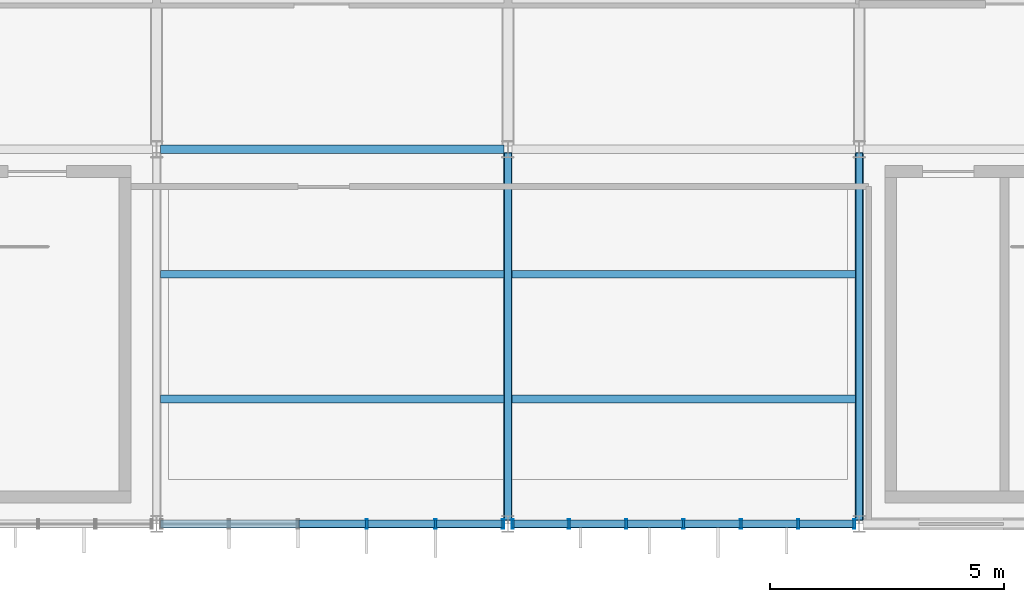
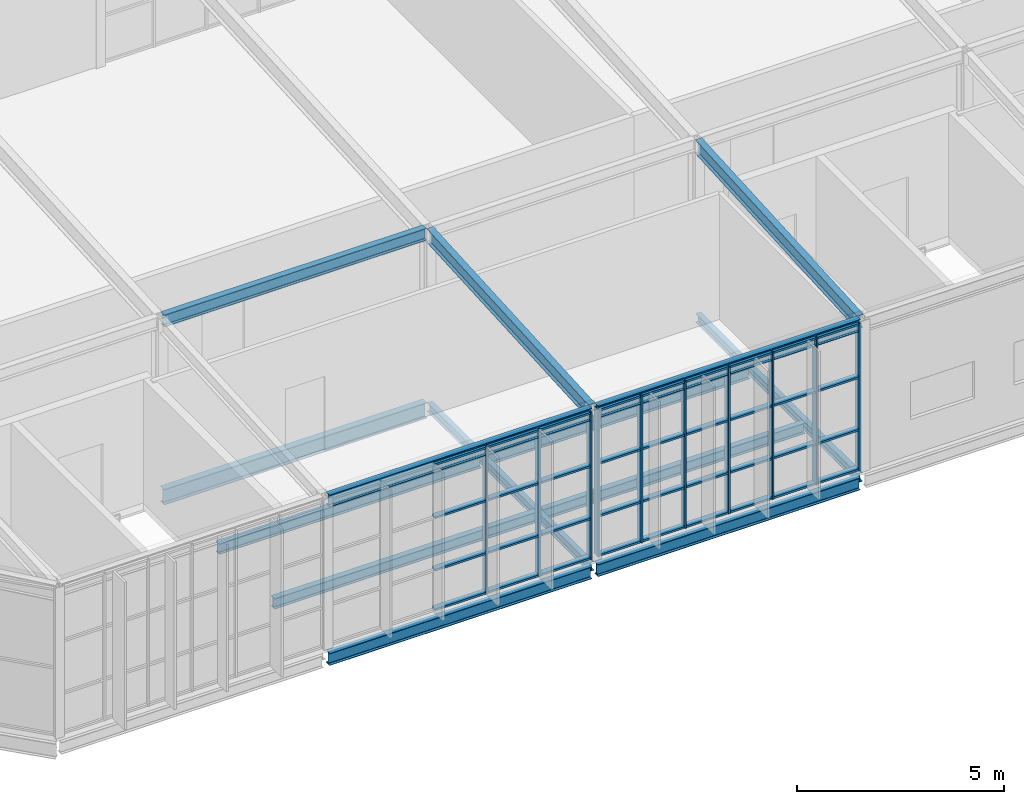
# One storey, part 14 of 104: 46 members, 14 beams, 2 elements without a shape of their own.
"""IFC4 building model written with IfcOpenShell, lengths in metres."""

from ifc_helpers import new_model, si_unit, direction, frame, origin, origin_2d, place, context, subcontext, project, spatial, hollow_rectangle, i_section, extrude, material, layer, layer_set, material_profile, profile_set, type_object, element, aggregate, save


model = new_model("IFC4")

# Units and contexts
model_context = context("Model", 3, precision=1e-05, world=origin(), true_north=direction((0.0, 1.0)))
body_context = subcontext(model_context, "Body", "Model", "MODEL_VIEW")
ifc_project = project(units=[si_unit("LENGTHUNIT", "METRE"), si_unit("AREAUNIT", "SQUARE_METRE"), si_unit("VOLUMEUNIT", "CUBIC_METRE"), si_unit("PLANEANGLEUNIT", "RADIAN"), si_unit("MASSUNIT", "GRAM", prefix="KILO")], contexts=[model_context])

# Site, building, storey
site_placement = place(None, origin())
site = spatial("IfcSite", under=ifc_project, at=site_placement, CompositionType="ELEMENT")
building_placement = place(site_placement, origin())
building = spatial("IfcBuilding", under=site, at=building_placement, Name="Solvenia Promenade Tram Depot", CompositionType="ELEMENT")
storey_placement = place(building_placement, frame((0.0, 0.0, 9.0)))
storey = spatial("IfcBuildingStorey", under=building, at=storey_placement, Name="L02", CompositionType="ELEMENT", Elevation=9.0)

# Beams
ifc_material_1 = material(Name="Structural steel ASTM A992 Gr. 50", Category="steel")
ifc_material_profile_1 = material_profile(ifc_material_1, i_section(OverallWidth=0.178955078125, OverallDepth=0.409912109375, WebThickness=0.0087890625, FlangeThickness=0.014404296875, FilletRadius=0.011962890625, at=origin_2d()), Name="W410x67", Category="steel")
ifc_profile_set_1 = profile_set([ifc_material_profile_1], Name="Structural steel ASTM A992 Gr. 50")
beam_type_1 = type_object("IfcBeamType", Name="Beam-W410x67", PredefinedType="BEAM", material=ifc_profile_set_1)
for number, where, z_axis, x_axis, name in (
    (1, (22.5, 0.0849609375, 4.2548828125), (0.0, 0.998227697106, 0.059510206937), (-1.0, 0.0, 0.0), "Folded Wing Roof Rafter BM-L02-0848"),
    (2, (30.0, 0.0849609375, 4.2548828125), (0.0, 0.998227697106, 0.059510206937), (-1.0, 0.0, 0.0), "Folded Wing Roof Rafter BM-L02-0850"),
):
    element("IfcBeam", number, at=place(storey_placement, frame(where, z_axis=z_axis, x_axis=x_axis)), inside=storey, type_object=beam_type_1, Name=name, PredefinedType="BEAM", context=body_context, shape_type="SweptSolid", body=[
        extrude(i_section(OverallWidth=0.178955078125, OverallDepth=0.409912109375, WebThickness=0.0087890625, FlangeThickness=0.014404296875, FilletRadius=0.011962890625, at=origin_2d()), origin(), (0.0, 0.0, 1.0), 7.843994140625),
    ])
ifc_material_profile_2 = material_profile(ifc_material_1, i_section(OverallWidth=0.19091796875, OverallDepth=0.4599609375, WebThickness=0.010009765625, FlangeThickness=0.01611328125, FilletRadius=0.012939453125, at=origin_2d()), Name="W460x82", Category="steel")
ifc_profile_set_2 = profile_set([ifc_material_profile_2], Name="Structural steel ASTM A992 Gr. 50")
beam_type_2 = type_object("IfcBeamType", Name="Beam-W460x82", PredefinedType="BEAM", material=ifc_profile_set_2)
beam_placement = place(storey_placement, frame((15.0849609375, 8.0, -0.449951171875), z_axis=(1.0, 0.0, 0.0), x_axis=(0.0, 1.0, 0.0)))
element("IfcBeam", 3, at=beam_placement, inside=storey, type_object=beam_type_2, Name="Primary Girder BM-L02-0531", PredefinedType="BEAM", context=body_context, shape_type="SweptSolid", body=[
    extrude(i_section(OverallWidth=0.19091796875, OverallDepth=0.4599609375, WebThickness=0.010009765625, FlangeThickness=0.01611328125, FilletRadius=0.012939453125, at=origin_2d()), origin(), (0.0, 0.0, 1.0), 7.330078125),
])

# Curtain wall, members
ifc_material_2 = material(Name="Anodized aluminium AW-6063 T6", Category="aluminium")
ifc_layer_1 = layer(ifc_material_2, 0.179931640625, Name="Anodized aluminium AW-6063 T6", Category="aluminium")
ifc_layer_set_1 = layer_set([ifc_layer_1], Name="Anodized aluminium AW-6063 T6")
curtain_wall_type_1 = type_object("IfcCurtainWallType", Name="CW-Solar-1500", PredefinedType="NOTDEFINED", material=ifc_layer_set_1)
curtain_wall_1_placement = place(storey_placement, origin())
curtain_wall_1 = element("IfcCurtainWall", 4, at=curtain_wall_1_placement, inside=storey, type_object=curtain_wall_type_1, Name="Curtain Wall CW-V4S-L02-02", PredefinedType="NOTDEFINED")
ifc_material_profile_3 = material_profile(ifc_material_2, hollow_rectangle(XDim=0.199951171875, YDim=0.048095703125, WallThickness=0.00390625, at=origin_2d()), Name="ALU-M3", Category="aluminium")
ifc_profile_set_3 = profile_set([ifc_material_profile_3], Name="Anodized aluminium AW-6063 T6")
member_type_1 = type_object("IfcMemberType", Name="CWM-Mullion-3", PredefinedType="MULLION", material=ifc_profile_set_3)
member_1_placement = place(storey_placement, frame((19.48388671875, 0.0, 0.0), z_axis=(0.0, 0.0, 1.0), x_axis=(0.0, 1.0, 0.0)))
member_1 = element("IfcMember", 5, at=member_1_placement, type_object=member_type_1, Name="CW-7 mullion 4", PredefinedType="MULLION", context=body_context, shape_type="SweptSolid", body=[
    extrude(hollow_rectangle(XDim=0.199951171875, YDim=0.048095703125, WallThickness=0.00390625, at=origin_2d()), origin(), (0.0, 0.0, 1.0), 4.35009765625),
])
member_2_placement = place(storey_placement, frame((20.951904296875, 0.0, 0.0), z_axis=(0.0, 0.0, 1.0), x_axis=(0.0, 1.0, 0.0)))
member_2 = element("IfcMember", 6, at=member_2_placement, type_object=member_type_1, Name="CW-7 mullion 5", PredefinedType="MULLION", context=body_context, shape_type="SweptSolid", body=[
    extrude(hollow_rectangle(XDim=0.199951171875, YDim=0.048095703125, WallThickness=0.00390625, at=origin_2d()), origin(), (0.0, 0.0, 1.0), 4.35009765625),
])
member_3_placement = place(storey_placement, frame((22.39599609375, 0.0, 0.0), z_axis=(0.0, 0.0, 1.0), x_axis=(0.0, 1.0, 0.0)))
member_3 = element("IfcMember", 7, at=member_3_placement, type_object=member_type_1, Name="CW-7 mullion 6", PredefinedType="MULLION", context=body_context, shape_type="SweptSolid", body=[
    extrude(hollow_rectangle(XDim=0.199951171875, YDim=0.048095703125, WallThickness=0.00390625, at=origin_2d()), origin(), (0.0, 0.0, 1.0), 4.35009765625),
])

ifc_layer_2 = layer(ifc_material_2, 0.179931640625, Name="Anodized aluminium AW-6063 T6", Category="aluminium")
ifc_layer_set_2 = layer_set([ifc_layer_2], Name="Anodized aluminium AW-6063 T6")
curtain_wall_type_2 = type_object("IfcCurtainWallType", Name="CW-Solar-1250", PredefinedType="NOTDEFINED", material=ifc_layer_set_2)
curtain_wall_2_placement = place(storey_placement, origin())
curtain_wall_2 = element("IfcCurtainWall", 8, at=curtain_wall_2_placement, inside=storey, type_object=curtain_wall_type_2, Name="Curtain Wall CW-V4S-L02-03", PredefinedType="NOTDEFINED")
member_4_placement = place(storey_placement, frame((22.60400390625, 0.0, 0.0), z_axis=(0.0, 0.0, 1.0), x_axis=(0.0, 1.0, 0.0)))
member_4 = element("IfcMember", 9, at=member_4_placement, type_object=member_type_1, Name="CW-6 mullion 1", PredefinedType="MULLION", context=body_context, shape_type="SweptSolid", body=[
    extrude(hollow_rectangle(XDim=0.199951171875, YDim=0.048095703125, WallThickness=0.00390625, at=origin_2d()), origin(), (0.0, 0.0, 1.0), 4.35009765625),
])
member_5_placement = place(storey_placement, frame((23.80322265625, 0.0, 0.0), z_axis=(0.0, 0.0, 1.0), x_axis=(0.0, 1.0, 0.0)))
member_5 = element("IfcMember", 10, at=member_5_placement, type_object=member_type_1, Name="CW-6 mullion 2", PredefinedType="MULLION", context=body_context, shape_type="SweptSolid", body=[
    extrude(hollow_rectangle(XDim=0.199951171875, YDim=0.048095703125, WallThickness=0.00390625, at=origin_2d()), origin(), (0.0, 0.0, 1.0), 4.35009765625),
])
member_6_placement = place(storey_placement, frame((25.026611328125, 0.0, 0.0), z_axis=(0.0, 0.0, 1.0), x_axis=(0.0, 1.0, 0.0)))
member_6 = element("IfcMember", 11, at=member_6_placement, type_object=member_type_1, Name="CW-6 mullion 3", PredefinedType="MULLION", context=body_context, shape_type="SweptSolid", body=[
    extrude(hollow_rectangle(XDim=0.199951171875, YDim=0.048095703125, WallThickness=0.00390625, at=origin_2d()), origin(), (0.0, 0.0, 1.0), 4.35009765625),
])
member_7_placement = place(storey_placement, frame((26.25, 0.0, 0.0), z_axis=(0.0, 0.0, 1.0), x_axis=(0.0, 1.0, 0.0)))
member_7 = element("IfcMember", 12, at=member_7_placement, type_object=member_type_1, Name="CW-6 mullion 4", PredefinedType="MULLION", context=body_context, shape_type="SweptSolid", body=[
    extrude(hollow_rectangle(XDim=0.199951171875, YDim=0.048095703125, WallThickness=0.00390625, at=origin_2d()), origin(), (0.0, 0.0, 1.0), 4.35009765625),
])
member_8_placement = place(storey_placement, frame((27.473388671875, 0.0, 0.0), z_axis=(0.0, 0.0, 1.0), x_axis=(0.0, 1.0, 0.0)))
member_8 = element("IfcMember", 13, at=member_8_placement, type_object=member_type_1, Name="CW-6 mullion 5", PredefinedType="MULLION", context=body_context, shape_type="SweptSolid", body=[
    extrude(hollow_rectangle(XDim=0.199951171875, YDim=0.048095703125, WallThickness=0.00390625, at=origin_2d()), origin(), (0.0, 0.0, 1.0), 4.35009765625),
])
member_9_placement = place(storey_placement, frame((28.69677734375, 0.0, 0.0), z_axis=(0.0, 0.0, 1.0), x_axis=(0.0, 1.0, 0.0)))
member_9 = element("IfcMember", 14, at=member_9_placement, type_object=member_type_1, Name="CW-6 mullion 6", PredefinedType="MULLION", context=body_context, shape_type="SweptSolid", body=[
    extrude(hollow_rectangle(XDim=0.199951171875, YDim=0.048095703125, WallThickness=0.00390625, at=origin_2d()), origin(), (0.0, 0.0, 1.0), 4.35009765625),
])
member_10_placement = place(storey_placement, frame((29.89599609375, 0.0, 0.0), z_axis=(0.0, 0.0, 1.0), x_axis=(0.0, 1.0, 0.0)))
member_10 = element("IfcMember", 15, at=member_10_placement, type_object=member_type_1, Name="CW-6 mullion 7", PredefinedType="MULLION", context=body_context, shape_type="SweptSolid", body=[
    extrude(hollow_rectangle(XDim=0.199951171875, YDim=0.048095703125, WallThickness=0.00390625, at=origin_2d()), origin(), (0.0, 0.0, 1.0), 4.35009765625),
])

# Member
ifc_material_profile_4 = material_profile(ifc_material_2, hollow_rectangle(XDim=0.159912109375, YDim=0.05810546875, WallThickness=0.00390625, at=origin_2d()), Name="ALU-T3", Category="aluminium")
ifc_profile_set_4 = profile_set([ifc_material_profile_4], Name="Anodized aluminium AW-6063 T6")
member_type_2 = type_object("IfcMemberType", Name="CWT-Transom-3", PredefinedType="USERDEFINED", material=ifc_profile_set_4)
member_11_placement = place(storey_placement, frame((18.0400390625, 0.0, 0.029052734375), z_axis=(1.0, 0.0, 0.0), x_axis=(0.0, 1.0, 0.0)))
member_11 = element("IfcMember", 16, at=member_11_placement, type_object=member_type_2, Name="CW-7 transom 3.1", ObjectType="TRANSOM", PredefinedType="USERDEFINED", context=body_context, shape_type="SweptSolid", body=[
    extrude(hollow_rectangle(XDim=0.159912109375, YDim=0.05810546875, WallThickness=0.00390625, at=origin_2d()), origin(), (0.0, 0.0, 1.0), 1.419921875),
])

member_12_placement = place(storey_placement, frame((18.0400390625, 0.0, 1.199951171875), z_axis=(1.0, 0.0, 0.0), x_axis=(0.0, 1.0, 0.0)))
member_12 = element("IfcMember", 17, at=member_12_placement, type_object=member_type_2, Name="CW-7 transom 3.2", ObjectType="TRANSOM", PredefinedType="USERDEFINED", context=body_context, shape_type="SweptSolid", body=[
    extrude(hollow_rectangle(XDim=0.159912109375, YDim=0.05810546875, WallThickness=0.00390625, at=origin_2d()), origin(), (0.0, 0.0, 1.0), 1.419921875),
])

member_13_placement = place(storey_placement, frame((18.0400390625, 0.0, 2.75), z_axis=(1.0, 0.0, 0.0), x_axis=(0.0, 1.0, 0.0)))
member_13 = element("IfcMember", 18, at=member_13_placement, type_object=member_type_2, Name="CW-7 transom 3.3", ObjectType="TRANSOM", PredefinedType="USERDEFINED", context=body_context, shape_type="SweptSolid", body=[
    extrude(hollow_rectangle(XDim=0.159912109375, YDim=0.05810546875, WallThickness=0.00390625, at=origin_2d()), origin(), (0.0, 0.0, 1.0), 1.419921875),
])

member_14_placement = place(storey_placement, frame((18.0400390625, 0.0, 4.321044921875), z_axis=(1.0, 0.0, 0.0), x_axis=(0.0, 1.0, 0.0)))
member_14 = element("IfcMember", 19, at=member_14_placement, type_object=member_type_2, Name="CW-7 transom 3.4", ObjectType="TRANSOM", PredefinedType="USERDEFINED", context=body_context, shape_type="SweptSolid", body=[
    extrude(hollow_rectangle(XDim=0.159912109375, YDim=0.05810546875, WallThickness=0.00390625, at=origin_2d()), origin(), (0.0, 0.0, 1.0), 1.419921875),
])

member_15_placement = place(storey_placement, frame((19.508056640625, 0.0, 0.029052734375), z_axis=(1.0, 0.0, 0.0), x_axis=(0.0, 1.0, 0.0)))
member_15 = element("IfcMember", 20, at=member_15_placement, type_object=member_type_2, Name="CW-7 transom 4.1", ObjectType="TRANSOM", PredefinedType="USERDEFINED", context=body_context, shape_type="SweptSolid", body=[
    extrude(hollow_rectangle(XDim=0.159912109375, YDim=0.05810546875, WallThickness=0.00390625, at=origin_2d()), origin(), (0.0, 0.0, 1.0), 1.419921875),
])

member_16_placement = place(storey_placement, frame((19.508056640625, 0.0, 1.199951171875), z_axis=(1.0, 0.0, 0.0), x_axis=(0.0, 1.0, 0.0)))
member_16 = element("IfcMember", 21, at=member_16_placement, type_object=member_type_2, Name="CW-7 transom 4.2", ObjectType="TRANSOM", PredefinedType="USERDEFINED", context=body_context, shape_type="SweptSolid", body=[
    extrude(hollow_rectangle(XDim=0.159912109375, YDim=0.05810546875, WallThickness=0.00390625, at=origin_2d()), origin(), (0.0, 0.0, 1.0), 1.419921875),
])

member_17_placement = place(storey_placement, frame((19.508056640625, 0.0, 2.75), z_axis=(1.0, 0.0, 0.0), x_axis=(0.0, 1.0, 0.0)))
member_17 = element("IfcMember", 22, at=member_17_placement, type_object=member_type_2, Name="CW-7 transom 4.3", ObjectType="TRANSOM", PredefinedType="USERDEFINED", context=body_context, shape_type="SweptSolid", body=[
    extrude(hollow_rectangle(XDim=0.159912109375, YDim=0.05810546875, WallThickness=0.00390625, at=origin_2d()), origin(), (0.0, 0.0, 1.0), 1.419921875),
])

member_18_placement = place(storey_placement, frame((19.508056640625, 0.0, 4.321044921875), z_axis=(1.0, 0.0, 0.0), x_axis=(0.0, 1.0, 0.0)))
member_18 = element("IfcMember", 23, at=member_18_placement, type_object=member_type_2, Name="CW-7 transom 4.4", ObjectType="TRANSOM", PredefinedType="USERDEFINED", context=body_context, shape_type="SweptSolid", body=[
    extrude(hollow_rectangle(XDim=0.159912109375, YDim=0.05810546875, WallThickness=0.00390625, at=origin_2d()), origin(), (0.0, 0.0, 1.0), 1.419921875),
])

member_19_placement = place(storey_placement, frame((20.97607421875, 0.0, 0.029052734375), z_axis=(1.0, 0.0, 0.0), x_axis=(0.0, 1.0, 0.0)))
member_19 = element("IfcMember", 24, at=member_19_placement, type_object=member_type_2, Name="CW-7 transom 5.1", ObjectType="TRANSOM", PredefinedType="USERDEFINED", context=body_context, shape_type="SweptSolid", body=[
    extrude(hollow_rectangle(XDim=0.159912109375, YDim=0.05810546875, WallThickness=0.00390625, at=origin_2d()), origin(), (0.0, 0.0, 1.0), 1.39599609375),
])

member_20_placement = place(storey_placement, frame((20.97607421875, 0.0, 1.199951171875), z_axis=(1.0, 0.0, 0.0), x_axis=(0.0, 1.0, 0.0)))
member_20 = element("IfcMember", 25, at=member_20_placement, type_object=member_type_2, Name="CW-7 transom 5.2", ObjectType="TRANSOM", PredefinedType="USERDEFINED", context=body_context, shape_type="SweptSolid", body=[
    extrude(hollow_rectangle(XDim=0.159912109375, YDim=0.05810546875, WallThickness=0.00390625, at=origin_2d()), origin(), (0.0, 0.0, 1.0), 1.39599609375),
])

member_21_placement = place(storey_placement, frame((20.97607421875, 0.0, 2.75), z_axis=(1.0, 0.0, 0.0), x_axis=(0.0, 1.0, 0.0)))
member_21 = element("IfcMember", 26, at=member_21_placement, type_object=member_type_2, Name="CW-7 transom 5.3", ObjectType="TRANSOM", PredefinedType="USERDEFINED", context=body_context, shape_type="SweptSolid", body=[
    extrude(hollow_rectangle(XDim=0.159912109375, YDim=0.05810546875, WallThickness=0.00390625, at=origin_2d()), origin(), (0.0, 0.0, 1.0), 1.39599609375),
])

member_22_placement = place(storey_placement, frame((20.97607421875, 0.0, 4.321044921875), z_axis=(1.0, 0.0, 0.0), x_axis=(0.0, 1.0, 0.0)))
member_22 = element("IfcMember", 27, at=member_22_placement, type_object=member_type_2, Name="CW-7 transom 5.4", ObjectType="TRANSOM", PredefinedType="USERDEFINED", context=body_context, shape_type="SweptSolid", body=[
    extrude(hollow_rectangle(XDim=0.159912109375, YDim=0.05810546875, WallThickness=0.00390625, at=origin_2d()), origin(), (0.0, 0.0, 1.0), 1.39599609375),
])

aggregate(curtain_wall_1, [member_1, member_2, member_3, member_11, member_12, member_13, member_14, member_15, member_16, member_17, member_18, member_19, member_20, member_21, member_22])

member_23_placement = place(storey_placement, frame((22.6279296875, 0.0, 0.029052734375), z_axis=(1.0, 0.0, 0.0), x_axis=(0.0, 1.0, 0.0)))
member_23 = element("IfcMember", 28, at=member_23_placement, type_object=member_type_2, Name="CW-6 transom 1.1", ObjectType="TRANSOM", PredefinedType="USERDEFINED", context=body_context, shape_type="SweptSolid", body=[
    extrude(hollow_rectangle(XDim=0.159912109375, YDim=0.05810546875, WallThickness=0.00390625, at=origin_2d()), origin(), (0.0, 0.0, 1.0), 1.1513671875),
])

member_24_placement = place(storey_placement, frame((22.6279296875, 0.0, 1.199951171875), z_axis=(1.0, 0.0, 0.0), x_axis=(0.0, 1.0, 0.0)))
member_24 = element("IfcMember", 29, at=member_24_placement, type_object=member_type_2, Name="CW-6 transom 1.2", ObjectType="TRANSOM", PredefinedType="USERDEFINED", context=body_context, shape_type="SweptSolid", body=[
    extrude(hollow_rectangle(XDim=0.159912109375, YDim=0.05810546875, WallThickness=0.00390625, at=origin_2d()), origin(), (0.0, 0.0, 1.0), 1.1513671875),
])

member_25_placement = place(storey_placement, frame((22.6279296875, 0.0, 2.75), z_axis=(1.0, 0.0, 0.0), x_axis=(0.0, 1.0, 0.0)))
member_25 = element("IfcMember", 30, at=member_25_placement, type_object=member_type_2, Name="CW-6 transom 1.3", ObjectType="TRANSOM", PredefinedType="USERDEFINED", context=body_context, shape_type="SweptSolid", body=[
    extrude(hollow_rectangle(XDim=0.159912109375, YDim=0.05810546875, WallThickness=0.00390625, at=origin_2d()), origin(), (0.0, 0.0, 1.0), 1.1513671875),
])

member_26_placement = place(storey_placement, frame((22.6279296875, 0.0, 4.321044921875), z_axis=(1.0, 0.0, 0.0), x_axis=(0.0, 1.0, 0.0)))
member_26 = element("IfcMember", 31, at=member_26_placement, type_object=member_type_2, Name="CW-6 transom 1.4", ObjectType="TRANSOM", PredefinedType="USERDEFINED", context=body_context, shape_type="SweptSolid", body=[
    extrude(hollow_rectangle(XDim=0.159912109375, YDim=0.05810546875, WallThickness=0.00390625, at=origin_2d()), origin(), (0.0, 0.0, 1.0), 1.1513671875),
])

member_27_placement = place(storey_placement, frame((23.827392578125, 0.0, 0.029052734375), z_axis=(1.0, 0.0, 0.0), x_axis=(0.0, 1.0, 0.0)))
member_27 = element("IfcMember", 32, at=member_27_placement, type_object=member_type_2, Name="CW-6 transom 2.1", ObjectType="TRANSOM", PredefinedType="USERDEFINED", context=body_context, shape_type="SweptSolid", body=[
    extrude(hollow_rectangle(XDim=0.159912109375, YDim=0.05810546875, WallThickness=0.00390625, at=origin_2d()), origin(), (0.0, 0.0, 1.0), 1.17529296875),
])

member_28_placement = place(storey_placement, frame((23.827392578125, 0.0, 1.199951171875), z_axis=(1.0, 0.0, 0.0), x_axis=(0.0, 1.0, 0.0)))
member_28 = element("IfcMember", 33, at=member_28_placement, type_object=member_type_2, Name="CW-6 transom 2.2", ObjectType="TRANSOM", PredefinedType="USERDEFINED", context=body_context, shape_type="SweptSolid", body=[
    extrude(hollow_rectangle(XDim=0.159912109375, YDim=0.05810546875, WallThickness=0.00390625, at=origin_2d()), origin(), (0.0, 0.0, 1.0), 1.17529296875),
])

member_29_placement = place(storey_placement, frame((23.827392578125, 0.0, 2.75), z_axis=(1.0, 0.0, 0.0), x_axis=(0.0, 1.0, 0.0)))
member_29 = element("IfcMember", 34, at=member_29_placement, type_object=member_type_2, Name="CW-6 transom 2.3", ObjectType="TRANSOM", PredefinedType="USERDEFINED", context=body_context, shape_type="SweptSolid", body=[
    extrude(hollow_rectangle(XDim=0.159912109375, YDim=0.05810546875, WallThickness=0.00390625, at=origin_2d()), origin(), (0.0, 0.0, 1.0), 1.17529296875),
])

member_30_placement = place(storey_placement, frame((23.827392578125, 0.0, 4.321044921875), z_axis=(1.0, 0.0, 0.0), x_axis=(0.0, 1.0, 0.0)))
member_30 = element("IfcMember", 35, at=member_30_placement, type_object=member_type_2, Name="CW-6 transom 2.4", ObjectType="TRANSOM", PredefinedType="USERDEFINED", context=body_context, shape_type="SweptSolid", body=[
    extrude(hollow_rectangle(XDim=0.159912109375, YDim=0.05810546875, WallThickness=0.00390625, at=origin_2d()), origin(), (0.0, 0.0, 1.0), 1.17529296875),
])

member_31_placement = place(storey_placement, frame((25.05078125, 0.0, 0.029052734375), z_axis=(1.0, 0.0, 0.0), x_axis=(0.0, 1.0, 0.0)))
member_31 = element("IfcMember", 36, at=member_31_placement, type_object=member_type_2, Name="CW-6 transom 3.1", ObjectType="TRANSOM", PredefinedType="USERDEFINED", context=body_context, shape_type="SweptSolid", body=[
    extrude(hollow_rectangle(XDim=0.159912109375, YDim=0.05810546875, WallThickness=0.00390625, at=origin_2d()), origin(), (0.0, 0.0, 1.0), 1.17529296875),
])

member_32_placement = place(storey_placement, frame((25.05078125, 0.0, 1.199951171875), z_axis=(1.0, 0.0, 0.0), x_axis=(0.0, 1.0, 0.0)))
member_32 = element("IfcMember", 37, at=member_32_placement, type_object=member_type_2, Name="CW-6 transom 3.2", ObjectType="TRANSOM", PredefinedType="USERDEFINED", context=body_context, shape_type="SweptSolid", body=[
    extrude(hollow_rectangle(XDim=0.159912109375, YDim=0.05810546875, WallThickness=0.00390625, at=origin_2d()), origin(), (0.0, 0.0, 1.0), 1.17529296875),
])

member_33_placement = place(storey_placement, frame((25.05078125, 0.0, 2.75), z_axis=(1.0, 0.0, 0.0), x_axis=(0.0, 1.0, 0.0)))
member_33 = element("IfcMember", 38, at=member_33_placement, type_object=member_type_2, Name="CW-6 transom 3.3", ObjectType="TRANSOM", PredefinedType="USERDEFINED", context=body_context, shape_type="SweptSolid", body=[
    extrude(hollow_rectangle(XDim=0.159912109375, YDim=0.05810546875, WallThickness=0.00390625, at=origin_2d()), origin(), (0.0, 0.0, 1.0), 1.17529296875),
])

member_34_placement = place(storey_placement, frame((25.05078125, 0.0, 4.321044921875), z_axis=(1.0, 0.0, 0.0), x_axis=(0.0, 1.0, 0.0)))
member_34 = element("IfcMember", 39, at=member_34_placement, type_object=member_type_2, Name="CW-6 transom 3.4", ObjectType="TRANSOM", PredefinedType="USERDEFINED", context=body_context, shape_type="SweptSolid", body=[
    extrude(hollow_rectangle(XDim=0.159912109375, YDim=0.05810546875, WallThickness=0.00390625, at=origin_2d()), origin(), (0.0, 0.0, 1.0), 1.17529296875),
])

member_35_placement = place(storey_placement, frame((26.27392578125, 0.0, 0.029052734375), z_axis=(1.0, 0.0, 0.0), x_axis=(0.0, 1.0, 0.0)))
member_35 = element("IfcMember", 40, at=member_35_placement, type_object=member_type_2, Name="CW-6 transom 4.1", ObjectType="TRANSOM", PredefinedType="USERDEFINED", context=body_context, shape_type="SweptSolid", body=[
    extrude(hollow_rectangle(XDim=0.159912109375, YDim=0.05810546875, WallThickness=0.00390625, at=origin_2d()), origin(), (0.0, 0.0, 1.0), 1.17529296875),
])

member_36_placement = place(storey_placement, frame((26.27392578125, 0.0, 1.199951171875), z_axis=(1.0, 0.0, 0.0), x_axis=(0.0, 1.0, 0.0)))
member_36 = element("IfcMember", 41, at=member_36_placement, type_object=member_type_2, Name="CW-6 transom 4.2", ObjectType="TRANSOM", PredefinedType="USERDEFINED", context=body_context, shape_type="SweptSolid", body=[
    extrude(hollow_rectangle(XDim=0.159912109375, YDim=0.05810546875, WallThickness=0.00390625, at=origin_2d()), origin(), (0.0, 0.0, 1.0), 1.17529296875),
])

member_37_placement = place(storey_placement, frame((26.27392578125, 0.0, 2.75), z_axis=(1.0, 0.0, 0.0), x_axis=(0.0, 1.0, 0.0)))
member_37 = element("IfcMember", 42, at=member_37_placement, type_object=member_type_2, Name="CW-6 transom 4.3", ObjectType="TRANSOM", PredefinedType="USERDEFINED", context=body_context, shape_type="SweptSolid", body=[
    extrude(hollow_rectangle(XDim=0.159912109375, YDim=0.05810546875, WallThickness=0.00390625, at=origin_2d()), origin(), (0.0, 0.0, 1.0), 1.17529296875),
])

member_38_placement = place(storey_placement, frame((26.27392578125, 0.0, 4.321044921875), z_axis=(1.0, 0.0, 0.0), x_axis=(0.0, 1.0, 0.0)))
member_38 = element("IfcMember", 43, at=member_38_placement, type_object=member_type_2, Name="CW-6 transom 4.4", ObjectType="TRANSOM", PredefinedType="USERDEFINED", context=body_context, shape_type="SweptSolid", body=[
    extrude(hollow_rectangle(XDim=0.159912109375, YDim=0.05810546875, WallThickness=0.00390625, at=origin_2d()), origin(), (0.0, 0.0, 1.0), 1.17529296875),
])

member_39_placement = place(storey_placement, frame((27.497314453125, 0.0, 0.029052734375), z_axis=(1.0, 0.0, 0.0), x_axis=(0.0, 1.0, 0.0)))
member_39 = element("IfcMember", 44, at=member_39_placement, type_object=member_type_2, Name="CW-6 transom 5.1", ObjectType="TRANSOM", PredefinedType="USERDEFINED", context=body_context, shape_type="SweptSolid", body=[
    extrude(hollow_rectangle(XDim=0.159912109375, YDim=0.05810546875, WallThickness=0.00390625, at=origin_2d()), origin(), (0.0, 0.0, 1.0), 1.17529296875),
])

member_40_placement = place(storey_placement, frame((27.497314453125, 0.0, 1.199951171875), z_axis=(1.0, 0.0, 0.0), x_axis=(0.0, 1.0, 0.0)))
member_40 = element("IfcMember", 45, at=member_40_placement, type_object=member_type_2, Name="CW-6 transom 5.2", ObjectType="TRANSOM", PredefinedType="USERDEFINED", context=body_context, shape_type="SweptSolid", body=[
    extrude(hollow_rectangle(XDim=0.159912109375, YDim=0.05810546875, WallThickness=0.00390625, at=origin_2d()), origin(), (0.0, 0.0, 1.0), 1.17529296875),
])

member_41_placement = place(storey_placement, frame((27.497314453125, 0.0, 2.75), z_axis=(1.0, 0.0, 0.0), x_axis=(0.0, 1.0, 0.0)))
member_41 = element("IfcMember", 46, at=member_41_placement, type_object=member_type_2, Name="CW-6 transom 5.3", ObjectType="TRANSOM", PredefinedType="USERDEFINED", context=body_context, shape_type="SweptSolid", body=[
    extrude(hollow_rectangle(XDim=0.159912109375, YDim=0.05810546875, WallThickness=0.00390625, at=origin_2d()), origin(), (0.0, 0.0, 1.0), 1.17529296875),
])

member_42_placement = place(storey_placement, frame((27.497314453125, 0.0, 4.321044921875), z_axis=(1.0, 0.0, 0.0), x_axis=(0.0, 1.0, 0.0)))
member_42 = element("IfcMember", 47, at=member_42_placement, type_object=member_type_2, Name="CW-6 transom 5.4", ObjectType="TRANSOM", PredefinedType="USERDEFINED", context=body_context, shape_type="SweptSolid", body=[
    extrude(hollow_rectangle(XDim=0.159912109375, YDim=0.05810546875, WallThickness=0.00390625, at=origin_2d()), origin(), (0.0, 0.0, 1.0), 1.17529296875),
])

member_43_placement = place(storey_placement, frame((28.720703125, 0.0, 0.029052734375), z_axis=(1.0, 0.0, 0.0), x_axis=(0.0, 1.0, 0.0)))
member_43 = element("IfcMember", 48, at=member_43_placement, type_object=member_type_2, Name="CW-6 transom 6.1", ObjectType="TRANSOM", PredefinedType="USERDEFINED", context=body_context, shape_type="SweptSolid", body=[
    extrude(hollow_rectangle(XDim=0.159912109375, YDim=0.05810546875, WallThickness=0.00390625, at=origin_2d()), origin(), (0.0, 0.0, 1.0), 1.1513671875),
])

member_44_placement = place(storey_placement, frame((28.720703125, 0.0, 1.199951171875), z_axis=(1.0, 0.0, 0.0), x_axis=(0.0, 1.0, 0.0)))
member_44 = element("IfcMember", 49, at=member_44_placement, type_object=member_type_2, Name="CW-6 transom 6.2", ObjectType="TRANSOM", PredefinedType="USERDEFINED", context=body_context, shape_type="SweptSolid", body=[
    extrude(hollow_rectangle(XDim=0.159912109375, YDim=0.05810546875, WallThickness=0.00390625, at=origin_2d()), origin(), (0.0, 0.0, 1.0), 1.1513671875),
])

member_45_placement = place(storey_placement, frame((28.720703125, 0.0, 2.75), z_axis=(1.0, 0.0, 0.0), x_axis=(0.0, 1.0, 0.0)))
member_45 = element("IfcMember", 50, at=member_45_placement, type_object=member_type_2, Name="CW-6 transom 6.3", ObjectType="TRANSOM", PredefinedType="USERDEFINED", context=body_context, shape_type="SweptSolid", body=[
    extrude(hollow_rectangle(XDim=0.159912109375, YDim=0.05810546875, WallThickness=0.00390625, at=origin_2d()), origin(), (0.0, 0.0, 1.0), 1.1513671875),
])

member_46_placement = place(storey_placement, frame((28.720703125, 0.0, 4.321044921875), z_axis=(1.0, 0.0, 0.0), x_axis=(0.0, 1.0, 0.0)))
member_46 = element("IfcMember", 51, at=member_46_placement, type_object=member_type_2, Name="CW-6 transom 6.4", ObjectType="TRANSOM", PredefinedType="USERDEFINED", context=body_context, shape_type="SweptSolid", body=[
    extrude(hollow_rectangle(XDim=0.159912109375, YDim=0.05810546875, WallThickness=0.00390625, at=origin_2d()), origin(), (0.0, 0.0, 1.0), 1.1513671875),
])

aggregate(curtain_wall_2, [member_4, member_5, member_6, member_7, member_8, member_9, member_10, member_23, member_24, member_25, member_26, member_27, member_28, member_29, member_30, member_31, member_32, member_33, member_34, member_35, member_36, member_37, member_38, member_39, member_40, member_41, member_42, member_43, member_44, member_45, member_46])

# Beams
ifc_material_profile_5 = material_profile(ifc_material_1, i_section(OverallWidth=0.14697265625, OverallDepth=0.261962890625, WebThickness=0.006591796875, FlangeThickness=0.01123046875, FilletRadius=0.010009765625, at=origin_2d()), Name="W250x39", Category="steel")
ifc_profile_set_5 = profile_set([ifc_material_profile_5], Name="Structural steel ASTM A992 Gr. 50")
beam_type_3 = type_object("IfcBeamType", Name="Joist-W250x39", PredefinedType="JOIST", material=ifc_profile_set_5)
for number, where, z_axis, x_axis, name in (
    (52, (22.5, 0.0849609375, -0.35107421875), (0.0, 1.0, 0.0), (-1.0, 0.0, 0.0), "Transverse Girder BM-L02-0548"),
    (53, (30.0, 0.0849609375, -0.35107421875), (0.0, 1.0, 0.0), (-1.0, 0.0, 0.0), "Transverse Girder BM-L02-0550"),
):
    element("IfcBeam", number, at=place(storey_placement, frame(where, z_axis=z_axis, x_axis=x_axis)), inside=storey, type_object=beam_type_3, Name=name, PredefinedType="JOIST", context=body_context, shape_type="SweptSolid", body=[
        extrude(i_section(OverallWidth=0.14697265625, OverallDepth=0.261962890625, WebThickness=0.006591796875, FlangeThickness=0.01123046875, FilletRadius=0.010009765625, at=origin_2d()), origin(), (0.0, 0.0, 1.0), 7.830078125),
    ])
ifc_material_profile_6 = material_profile(ifc_material_1, i_section(OverallWidth=0.166015625, OverallDepth=0.31298828125, WebThickness=0.006591796875, FlangeThickness=0.01123046875, FilletRadius=0.010009765625, at=origin_2d()), Name="W310x45", Category="steel")
ifc_profile_set_6 = profile_set([ifc_material_profile_6], Name="Structural steel ASTM A992 Gr. 50")
beam_type_4 = type_object("IfcBeamType", Name="Joist-W310x45", PredefinedType="JOIST", material=ifc_profile_set_6)
for number, where, z_axis, x_axis, name in (
    (54, (15.0849609375, 2.666748046875, -0.37646484375), (1.0, 0.0, 0.0), (0.0, 1.0, 0.0), "Secondary Floor Joist BM-L02-0567"),
    (55, (15.0849609375, 5.333251953125, -0.37646484375), (1.0, 0.0, 0.0), (0.0, 1.0, 0.0), "Secondary Floor Joist BM-L02-0568"),
    (56, (22.5849609375, 2.666748046875, -0.37646484375), (1.0, 0.0, 0.0), (0.0, 1.0, 0.0), "Secondary Floor Joist BM-L02-0573"),
    (57, (22.5849609375, 5.333251953125, -0.37646484375), (1.0, 0.0, 0.0), (0.0, 1.0, 0.0), "Secondary Floor Joist BM-L02-0574"),
):
    element("IfcBeam", number, at=place(storey_placement, frame(where, z_axis=z_axis, x_axis=x_axis)), inside=storey, type_object=beam_type_4, Name=name, PredefinedType="JOIST", context=body_context, shape_type="SweptSolid", body=[
        extrude(i_section(OverallWidth=0.166015625, OverallDepth=0.31298828125, WebThickness=0.006591796875, FlangeThickness=0.01123046875, FilletRadius=0.010009765625, at=origin_2d()), origin(), (0.0, 0.0, 1.0), 7.330078125),
    ])
ifc_material_profile_7 = material_profile(ifc_material_1, i_section(OverallWidth=0.172119140625, OverallDepth=0.35791015625, WebThickness=0.0078125, FlangeThickness=0.01318359375, FilletRadius=0.010986328125, at=origin_2d()), Name="W360x57", Category="steel")
ifc_profile_set_7 = profile_set([ifc_material_profile_7], Name="Structural steel ASTM A992 Gr. 50")
beam_type_5 = type_object("IfcBeamType", Name="Spandrel-W360x57", PredefinedType="SPANDREL", material=ifc_profile_set_7)
for number, where, z_axis, x_axis, name in (
    (58, (15.0849609375, 0.0, -0.39892578125), (1.0, 0.0, 0.0), (0.0, 1.0, 0.0), "Perimeter Spandrel BM-L02-0524"),
    (59, (22.5849609375, 0.0, -0.39892578125), (1.0, 0.0, 0.0), (0.0, 1.0, 0.0), "Perimeter Spandrel BM-L02-0525"),
    (60, (15.0849609375, 0.0, 4.281005859375), (1.0, 0.0, 0.0), (0.0, 1.0, 0.0), "Folded Wing Roof Eave Beam BM-L02-0864"),
    (61, (15.0849609375, 8.0, 4.747802734375), (1.0, 0.0, 0.0), (0.0, 1.0, 0.0), "Folded Wing Roof Eave Beam BM-L02-0865"),
    (62, (22.5849609375, 0.0, 4.281005859375), (1.0, 0.0, 0.0), (0.0, 1.0, 0.0), "Folded Wing Roof Eave Beam BM-L02-0867"),
):
    element("IfcBeam", number, at=place(storey_placement, frame(where, z_axis=z_axis, x_axis=x_axis)), inside=storey, type_object=beam_type_5, Name=name, PredefinedType="SPANDREL", context=body_context, shape_type="SweptSolid", body=[
        extrude(i_section(OverallWidth=0.172119140625, OverallDepth=0.35791015625, WebThickness=0.0078125, FlangeThickness=0.01318359375, FilletRadius=0.010986328125, at=origin_2d()), origin(), (0.0, 0.0, 1.0), 7.330078125),
    ])

save(model, "model.ifc")
